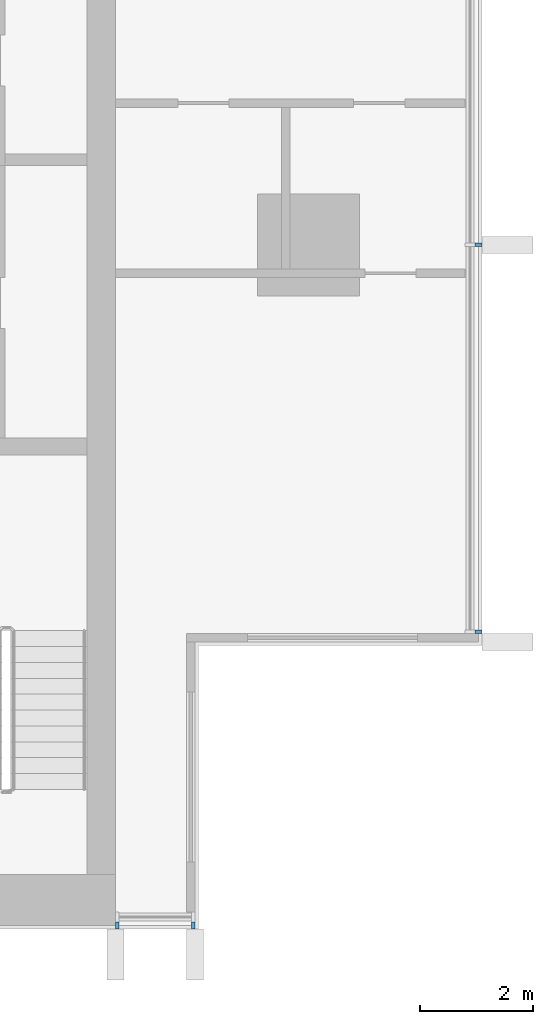
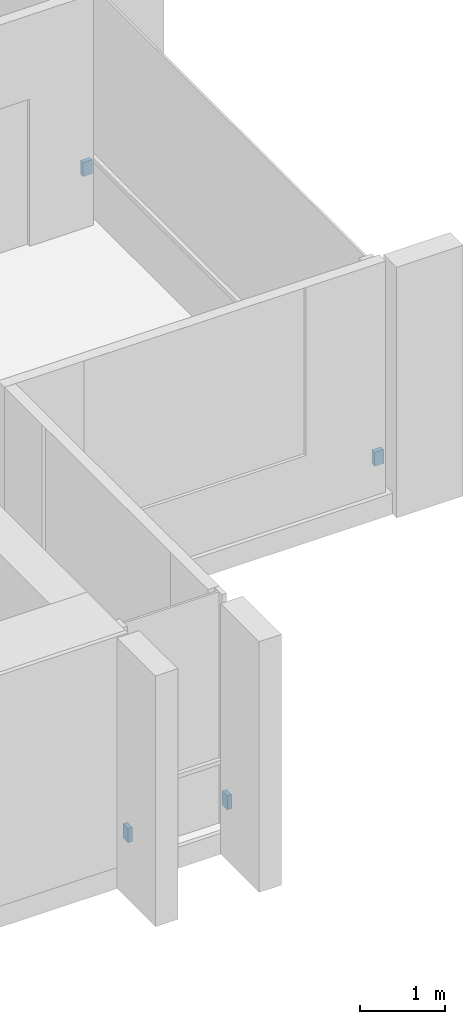
# One storey, part 12 of 15: 4 discrete accessories.
"""IFC4 building model written with IfcOpenShell, lengths in metres."""

import ifcopenshell
import ifcopenshell.guid

model = None  # the IFC model being written
_history = None  # IfcOwnerHistory: only IFC2X3 demands one
_inside = {}  # id of a spatial element -> (the spatial element, [elements in it])
_under = {}  # id of a project, library or spatial element -> (it, [spatial elements below it])
_declared = {}  # id of a project -> (the project, [libraries it declares])
_typed = {}  # id of a type object -> (the type object, [elements of that type])
_made_of = {}  # id of a material, layer set ... -> (it, [elements and type objects made of it])


def new_model(schema):
    """Start an empty IFC model of exactly this schema.

    Asked for "IFC4X3", IfcOpenShell would pick the latest addendum, in which some entities
    have other attributes; the version numbers below select the first issue.
    IFC2X3 requires an IfcOwnerHistory on every rooted entity: one is made here for all.
    """
    global model, _history
    if schema == "IFC4X3":
        model = ifcopenshell.file(schema_version=(4, 3, 0, 0))
    else:
        model = ifcopenshell.file(schema=schema)
    _inside.clear()
    _under.clear()
    _declared.clear()
    _typed.clear()
    _made_of.clear()
    _history = None
    if model.schema == "IFC2X3":
        org = make("IfcOrganization", Name="unknown")
        user = make(
            "IfcPersonAndOrganization",
            ThePerson=make("IfcPerson", FamilyName="unknown"),
            TheOrganization=org,
        )
        app = make(
            "IfcApplication",
            ApplicationDeveloper=org,
            Version="unknown",
            ApplicationFullName="unknown",
            ApplicationIdentifier="unknown",
        )
        _history = make(
            "IfcOwnerHistory",
            OwningUser=user,
            OwningApplication=app,
            ChangeAction="ADDED",
            CreationDate=0,
        )
    return model


def make(cls, **values):
    """One entity of the class cls with the attributes given. An attribute that is None is left unset."""
    return model.create_entity(
        cls, **{name: value for name, value in values.items() if value is not None}
    )


def rooted(cls, **values):
    """An entity with a GlobalId (a new one), such as an element, a storey or a relation."""
    return make(cls, GlobalId=ifcopenshell.guid.new(), OwnerHistory=_history, **values)


def si_unit(unit_type, name, prefix=None):
    """IfcSIUnit, for example si_unit("LENGTHUNIT", "METRE", prefix="MILLI")."""
    return make("IfcSIUnit", UnitType=unit_type, Prefix=prefix, Name=name)


def assignment(units):
    """IfcUnitAssignment: the units of a project."""
    return None if units is None else make("IfcUnitAssignment", Units=units)


def point(xyz):
    """IfcCartesianPoint."""
    return None if xyz is None else make("IfcCartesianPoint", Coordinates=xyz)


def direction(xyz):
    """IfcDirection."""
    return None if xyz is None else make("IfcDirection", DirectionRatios=xyz)


def frame(location, z_axis=None, x_axis=None):
    """IfcAxis2Placement3D, a coordinate frame: its origin and axes. An axis left out is left unset."""
    return make(
        "IfcAxis2Placement3D",
        Location=point(location),
        Axis=direction(z_axis),
        RefDirection=direction(x_axis),
    )


def frame_2d(location, x_axis=None):
    """IfcAxis2Placement2D, a coordinate frame in the plane: its origin and x axis."""
    return make(
        "IfcAxis2Placement2D", Location=point(location), RefDirection=direction(x_axis)
    )


def origin():
    """The frame at (0, 0, 0) with its axes left unset."""
    return frame((0.0, 0.0, 0.0))


def origin_2d():
    """The frame at (0, 0) in the plane with its x axis left unset."""
    return frame_2d((0.0, 0.0))


def place(relative_to, where):
    """IfcLocalPlacement: puts the frame where relative to a parent placement (None: the world)."""
    return make(
        "IfcLocalPlacement", PlacementRelTo=relative_to, RelativePlacement=where
    )


def context(
    kind, dimensions, precision=None, world=None, true_north=None, identifier=None
):
    """IfcGeometricRepresentationContext, for example the 3D "Model" context."""
    return make(
        "IfcGeometricRepresentationContext",
        ContextIdentifier=identifier,
        ContextType=kind,
        CoordinateSpaceDimension=dimensions,
        Precision=precision,
        WorldCoordinateSystem=world,
        TrueNorth=true_north,
    )


def subcontext(parent, identifier, kind, view, scale=None):
    """IfcGeometricRepresentationSubContext, for example "Body" below "Model"."""
    return make(
        "IfcGeometricRepresentationSubContext",
        ContextIdentifier=identifier,
        ContextType=kind,
        ParentContext=parent,
        TargetScale=scale,
        TargetView=view,
    )


def project(units=None, contexts=None):
    """IfcProject with its units and contexts."""
    return rooted(
        "IfcProject",
        Name="project",
        RepresentationContexts=contexts,
        UnitsInContext=assignment(units),
    )


def spatial(cls, under=None, at=None, **own):
    """A site, building, storey or space (cls), placed at a placement, below another one or the project."""
    s = rooted(cls, ObjectPlacement=at, **own)
    if under is not None:
        _under.setdefault(under.id(), (under, []))[1].append(s)
    return s


def profile(cls, at=None, kind="AREA", **sizes):
    """A parametric profile (cls). Its sizes go by their IFC names, for example OverallWidth=200.0."""
    return make(cls, ProfileType=kind, Position=at, **sizes)


def rectangle(**sizes):
    """IfcRectangleProfileDef."""
    return profile("IfcRectangleProfileDef", **sizes)


def extrude(swept, where, along, depth):
    """IfcExtrudedAreaSolid: the profile swept, set in the frame where, extruded along a direction by depth."""
    return make(
        "IfcExtrudedAreaSolid",
        SweptArea=swept,
        Position=where,
        ExtrudedDirection=direction(along),
        Depth=depth,
    )


def shape(context_of_items, identifier, shape_type, items):
    """IfcShapeRepresentation: the items that make up one representation, for example the "Body"."""
    return make(
        "IfcShapeRepresentation",
        ContextOfItems=context_of_items,
        RepresentationIdentifier=identifier,
        RepresentationType=shape_type,
        Items=items,
    )


def material(Name=None, Category=None):
    """IfcMaterial."""
    return make("IfcMaterial", Name=Name, Category=Category)


def made_of(thing, what):
    """Note that an element or type object is made of a material, layer set ...; save() writes the relation."""
    if what is not None:
        _made_of.setdefault(what.id(), (what, []))[1].append(thing)
    return thing


def type_object(cls, material=None, **own):
    """A type object (cls), such as IfcWallType, which elements share."""
    return made_of(rooted(cls, **own), material)


def element(
    cls,
    number,
    at=None,
    inside=None,
    cuts=None,
    type_object=None,
    material=None,
    context=None,
    identifier="Body",
    shape_type=None,
    held_by="IfcProductDefinitionShape",
    body=None,
    shapes=None,
    **own,
):
    """One element of the class cls, such as IfcWall. Its Tag is "e" and its number.

    at: its placement. inside: the storey or other place that contains it. cuts: it is an
    opening in that element (IfcRelVoidsElement). A single representation is given by context,
    identifier, shape_type and body (its items); several are given by shapes. held_by: the class
    of the entity that holds the representations. save() writes the other relations.
    """
    e = rooted(cls, Tag="e%d" % number, ObjectPlacement=at, **own)
    if body is not None:
        shapes = [shape(context, identifier, shape_type, body)]
    if shapes is not None:
        e.Representation = make(held_by, Representations=shapes)
    if inside is not None:
        _inside.setdefault(inside.id(), (inside, []))[1].append(e)
    if cuts is not None:
        rooted(
            "IfcRelVoidsElement", RelatingBuildingElement=cuts, RelatedOpeningElement=e
        )
    if type_object is not None:
        _typed.setdefault(type_object.id(), (type_object, []))[1].append(e)
    return made_of(e, material)


def aggregate(whole, parts):
    """IfcRelAggregates: a whole, such as a stair, and the parts it consists of."""
    return rooted("IfcRelAggregates", RelatingObject=whole, RelatedObjects=parts)


def save(model, path):
    """Write the relations noted so far, then the file.

    IfcRelAggregates (storeys below a building ...), IfcRelContainedInSpatialStructure (elements
    in a storey), IfcRelDefinesByType, IfcRelAssociatesMaterial and IfcRelDeclares: one each for
    every whole, place, type object, material and project.
    """
    for whole, parts in _under.values():
        aggregate(whole, parts)
    for where, things in _inside.values():
        rooted(
            "IfcRelContainedInSpatialStructure",
            RelatedElements=things,
            RelatingStructure=where,
        )
    for kind, things in _typed.values():
        rooted("IfcRelDefinesByType", RelatedObjects=things, RelatingType=kind)
    for what, things in _made_of.values():
        rooted("IfcRelAssociatesMaterial", RelatedObjects=things, RelatingMaterial=what)
    for by, libraries in _declared.values():
        rooted("IfcRelDeclares", RelatingContext=by, RelatedDefinitions=libraries)
    model.write(path)


model = new_model("IFC4")

# Units and contexts
model_context = context("Model", 3, precision=1e-05, world=origin(), true_north=direction((0.0, 1.0)))
body_context = subcontext(model_context, "Body", "Model", "MODEL_VIEW")
ifc_project = project(units=[si_unit("LENGTHUNIT", "METRE"), si_unit("AREAUNIT", "SQUARE_METRE"), si_unit("VOLUMEUNIT", "CUBIC_METRE"), si_unit("PLANEANGLEUNIT", "RADIAN"), si_unit("MASSUNIT", "GRAM", prefix="KILO")], contexts=[model_context])

# Site, building, storey
site_placement = place(None, origin())
site = spatial("IfcSite", under=ifc_project, at=site_placement, CompositionType="ELEMENT")
building_placement = place(site_placement, origin())
building = spatial("IfcBuilding", under=site, at=building_placement, Name="Finial Court Residences", CompositionType="ELEMENT")
storey_placement = place(building_placement, frame((0.0, 0.0, 273.5)))
storey = spatial("IfcBuildingStorey", under=building, at=storey_placement, Name="L69", CompositionType="ELEMENT", Elevation=273.5)

# Discrete accessories
ifc_material = material(Name="Stainless steel 316", Category="steel")
discrete_accessory_type = type_object("IfcDiscreteAccessoryType", Name="Fin bracket, stainless steel 60 x 122 x 200", PredefinedType="BRACKET", material=ifc_material)
for number, where, z_axis, x_axis, name in (
    (1, (19.498779296875, -20.320068359375, 0.2998046875), (0.0, 0.0, 1.0), (1.0, 0.0, 0.0), "E-L69-FIN-E7-BRK"),
    (2, (19.498779296875, -13.5, 0.2998046875), (0.0, 0.0, 1.0), (1.0, 0.0, 0.0), "E-L69-FIN-E8-BRK"),
):
    element("IfcDiscreteAccessory", number, at=place(storey_placement, frame(where, z_axis=z_axis, x_axis=x_axis)), inside=storey, type_object=discrete_accessory_type, Name=name, PredefinedType="BRACKET", context=body_context, shape_type="SweptSolid", body=[
        extrude(rectangle(XDim=0.12255859375, YDim=0.06005859375, at=origin_2d()), origin(), (0.0, 0.0, 1.0), 0.199951171875),
    ])
for number, where, z_axis, x_axis, name in (
    (3, (13.1298828125, -25.498779296875, 0.2998046875), (0.0, 0.0, 1.0), (1.0, 0.0, 0.0), "E-L69-FIN-S19-BRK"),
    (4, (14.469970703125, -25.498779296875, 0.2998046875), (0.0, 0.0, 1.0), (1.0, 0.0, 0.0), "E-L69-FIN-S20-BRK"),
):
    element("IfcDiscreteAccessory", number, at=place(storey_placement, frame(where, z_axis=z_axis, x_axis=x_axis)), inside=storey, type_object=discrete_accessory_type, Name=name, PredefinedType="BRACKET", context=body_context, shape_type="SweptSolid", body=[
        extrude(rectangle(XDim=0.06005859375, YDim=0.12255859375, at=origin_2d()), origin(), (0.0, 0.0, 1.0), 0.199951171875),
    ])

save(model, "model.ifc")
